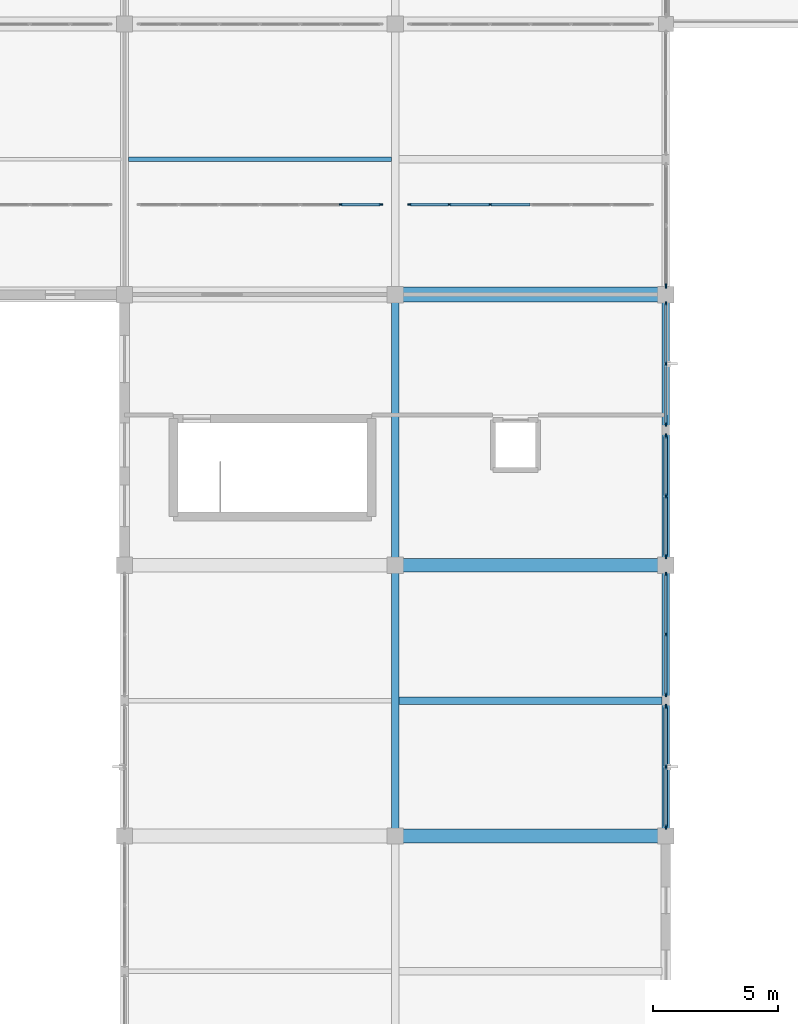
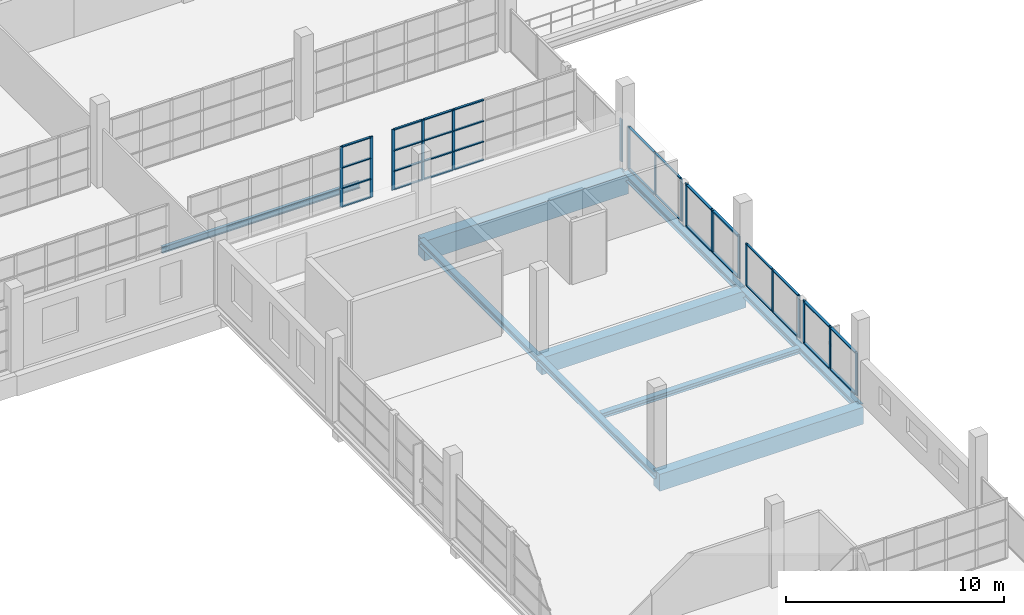
# One storey, part 70 of 142: 50 members, 9 beams, 7 elements without a shape of their own.
"""IFC4 building model written with IfcOpenShell, lengths in metres."""

from ifc_helpers import new_model, si_unit, direction, frame, origin, origin_2d, place, context, subcontext, project, spatial, rectangle, i_section, extrude, material, material_profile, profile_set, type_object, element, aggregate, save


model = new_model("IFC4")

# Units and contexts
model_context = context("Model", 3, precision=1e-05, world=origin(), true_north=direction((0.0, 1.0)))
body_context = subcontext(model_context, "Body", "Model", "MODEL_VIEW")
ifc_project = project(units=[si_unit("LENGTHUNIT", "METRE"), si_unit("AREAUNIT", "SQUARE_METRE"), si_unit("VOLUMEUNIT", "CUBIC_METRE"), si_unit("PLANEANGLEUNIT", "RADIAN"), si_unit("MASSUNIT", "GRAM", prefix="KILO")], contexts=[model_context])

# Site, building, storey
site_placement = place(None, origin())
site = spatial("IfcSite", under=ifc_project, at=site_placement, CompositionType="ELEMENT")
building_placement = place(site_placement, origin())
building = spatial("IfcBuilding", under=site, at=building_placement, Name="Zwinboog Wholesale Market", CompositionType="ELEMENT")
storey_placement = place(building_placement, frame((0.0, 0.0, 5.39990234375)))
storey = spatial("IfcBuildingStorey", under=building, at=storey_placement, Name="L01", CompositionType="ELEMENT", Elevation=5.39990234375)

# Beams
ifc_material_1 = material(Name="Precast concrete C45/55", Category="concrete")
ifc_material_profile_1 = material_profile(ifc_material_1, rectangle(XDim=0.60009765625, YDim=1.10009765625, at=origin_2d()), Name="PC 600x1100")
ifc_profile_set_1 = profile_set([ifc_material_profile_1], Name="Precast concrete C45/55")
beam_type_1 = type_object("IfcBeamType", Name="BT-01", PredefinedType="BEAM", material=ifc_profile_set_1)
beam_1_placement = place(storey_placement, frame((162.0, 86.39990234375, -0.8818359375), z_axis=(1.0, 0.0, 0.0), x_axis=(0.0, 1.0, 0.0)))
element("IfcBeam", 1, at=beam_1_placement, inside=storey, type_object=beam_type_1, Name="BG-01 (BMG-L01-1620-0864-0524)", PredefinedType="BEAM", context=body_context, shape_type="SweptSolid", body=[
    extrude(rectangle(XDim=0.60009765625, YDim=1.10009765625, at=origin_2d()), origin(), (0.0, 0.0, 1.0), 10.800048828125),
])
ifc_material_profile_2 = material_profile(ifc_material_1, rectangle(XDim=0.550048828125, YDim=0.949951171875, at=origin_2d()), Name="PC 550x950")
ifc_profile_set_2 = profile_set([ifc_material_profile_2], Name="Precast concrete C45/55")
beam_type_2 = type_object("IfcBeamType", Name="BT-02", PredefinedType="BEAM", material=ifc_profile_set_2)
for number, where, z_axis, x_axis, name in (
    (2, (162.0, 64.800048828125, -0.77978515625), (1.0, 0.0, 0.0), (0.0, 1.0, 0.0), "BG-02 (BMG-L01-1620-0648-0498)"),
    (3, (162.0, 75.60009765625, -0.806884765625), (1.0, 0.0, 0.0), (0.0, 1.0, 0.0), "BG-02 (BMG-L01-1620-0756-0508)"),
):
    element("IfcBeam", number, at=place(storey_placement, frame(where, z_axis=z_axis, x_axis=x_axis)), inside=storey, type_object=beam_type_2, Name=name, PredefinedType="BEAM", context=body_context, shape_type="SweptSolid", body=[
        extrude(rectangle(XDim=0.550048828125, YDim=0.949951171875, at=origin_2d()), origin(), (0.0, 0.0, 1.0), 10.800048828125),
    ])
ifc_material_2 = material(Name="Steel S355", Category="steel")
ifc_material_profile_3 = material_profile(ifc_material_2, i_section(OverallWidth=0.300048828125, OverallDepth=0.35009765625, WebThickness=0.010009765625, FlangeThickness=0.017578125, FilletRadius=0.027099609375, at=origin_2d()), Name="HEA 360")
ifc_profile_set_3 = profile_set([ifc_material_profile_3], Name="Steel S355")
beam_type_3 = type_object("IfcBeamType", Name="BT-17", PredefinedType="BEAM", material=ifc_profile_set_3)
beam_2_placement = place(storey_placement, frame((162.0, 64.800048828125, -0.5068359375), z_axis=(0.0, 1.0, 0.0), x_axis=(-1.0, 0.0, 0.0)))
element("IfcBeam", 4, at=beam_2_placement, inside=storey, type_object=beam_type_3, Name="SB-04 (BMG-L01-1620-0648-0739)", PredefinedType="BEAM", context=body_context, shape_type="SweptSolid", body=[
    extrude(i_section(OverallWidth=0.300048828125, OverallDepth=0.35009765625, WebThickness=0.010009765625, FlangeThickness=0.017578125, FilletRadius=0.027099609375, at=origin_2d()), origin(), (0.0, 0.0, 1.0), 10.800048828125),
])
beam_3_placement = place(storey_placement, frame((162.0, 75.60009765625, -0.5068359375), z_axis=(0.0, 1.0, 0.0), x_axis=(-1.0, 0.0, 0.0)))
element("IfcBeam", 5, at=beam_3_placement, inside=storey, type_object=beam_type_3, Name="SB-04 (BMG-L01-1620-0756-0740)", PredefinedType="BEAM", context=body_context, shape_type="SweptSolid", body=[
    extrude(i_section(OverallWidth=0.300048828125, OverallDepth=0.35009765625, WebThickness=0.010009765625, FlangeThickness=0.017578125, FilletRadius=0.027099609375, at=origin_2d()), origin(), (0.0, 0.0, 1.0), 10.7998046875),
])
beam_4_placement = place(storey_placement, frame((172.800048828125, 64.800048828125, -0.5068359375), z_axis=(0.0, 1.0, 0.0), x_axis=(-1.0, 0.0, 0.0)))
element("IfcBeam", 6, at=beam_4_placement, inside=storey, type_object=beam_type_3, Name="SB-04 (BMG-L01-1728-0648-0751)", PredefinedType="BEAM", context=body_context, shape_type="SweptSolid", body=[
    extrude(i_section(OverallWidth=0.300048828125, OverallDepth=0.35009765625, WebThickness=0.010009765625, FlangeThickness=0.017578125, FilletRadius=0.027099609375, at=origin_2d()), origin(), (0.0, 0.0, 1.0), 10.800048828125),
])
beam_5_placement = place(storey_placement, frame((172.800048828125, 75.60009765625, -0.5068359375), z_axis=(0.0, 1.0, 0.0), x_axis=(-1.0, 0.0, 0.0)))
element("IfcBeam", 7, at=beam_5_placement, inside=storey, type_object=beam_type_3, Name="SB-04 (BMG-L01-1728-0756-0752)", PredefinedType="BEAM", context=body_context, shape_type="SweptSolid", body=[
    extrude(i_section(OverallWidth=0.300048828125, OverallDepth=0.35009765625, WebThickness=0.010009765625, FlangeThickness=0.017578125, FilletRadius=0.027099609375, at=origin_2d()), origin(), (0.0, 0.0, 1.0), 10.7998046875),
])
ifc_material_profile_4 = material_profile(ifc_material_2, i_section(OverallWidth=0.300048828125, OverallDepth=0.2900390625, WebThickness=0.008544921875, FlangeThickness=0.013916015625, FilletRadius=0.027099609375, at=origin_2d()), Name="HEA 300")
ifc_profile_set_4 = profile_set([ifc_material_profile_4], Name="Steel S355")
beam_type_4 = type_object("IfcBeamType", Name="BT-18", PredefinedType="JOIST", material=ifc_profile_set_4)
beam_6_placement = place(storey_placement, frame((162.14990234375, 70.199951171875, -0.449951171875), z_axis=(1.0, 0.0, 0.0), x_axis=(0.0, 1.0, 0.0)))
element("IfcBeam", 8, at=beam_6_placement, inside=storey, type_object=beam_type_4, Name="SJ-01 (BMG-L01-1622-0702-0851)", PredefinedType="JOIST", context=body_context, shape_type="SweptSolid", body=[
    extrude(i_section(OverallWidth=0.300048828125, OverallDepth=0.2900390625, WebThickness=0.008544921875, FlangeThickness=0.013916015625, FilletRadius=0.027099609375, at=origin_2d()), origin(), (0.0, 0.0, 1.0), 10.5),
])
ifc_material_profile_5 = material_profile(ifc_material_2, i_section(OverallWidth=0.169921875, OverallDepth=0.360107421875, WebThickness=0.008056640625, FlangeThickness=0.0126953125, FilletRadius=0.01806640625, at=origin_2d()), Name="IPE 360")
ifc_profile_set_5 = profile_set([ifc_material_profile_5], Name="Steel S355")
beam_type_5 = type_object("IfcBeamType", Name="BT-20", PredefinedType="JOIST", material=ifc_profile_set_5)
beam_7_placement = place(storey_placement, frame((151.35009765625, 91.800048828125, -0.511962890625), z_axis=(1.0, 0.0, 0.0), x_axis=(0.0, 1.0, 0.0)))
element("IfcBeam", 9, at=beam_7_placement, inside=storey, type_object=beam_type_5, Name="SJ-03 (BMG-L01-1514-0918-0852)", PredefinedType="JOIST", context=body_context, shape_type="SweptSolid", body=[
    extrude(i_section(OverallWidth=0.169921875, OverallDepth=0.360107421875, WebThickness=0.008056640625, FlangeThickness=0.0126953125, FilletRadius=0.01806640625, at=origin_2d()), origin(), (0.0, 0.0, 1.0), 10.5),
])

# Curtain wall, members
ifc_material_3 = material(Name="Aluminium thermally broken curtain wall", Category="aluminium")
curtain_wall_type_1 = type_object("IfcCurtainWallType", Name="CWT-HALL-24", PredefinedType="USERDEFINED", material=ifc_material_3)
curtain_wall_1_placement = place(storey_placement, origin())
curtain_wall_1 = element("IfcCurtainWall", 10, at=curtain_wall_1_placement, inside=storey, type_object=curtain_wall_type_1, Name="CW-03 (CW-L01-135)", ObjectType="UNITIZED_CURTAIN_WALL", PredefinedType="USERDEFINED")
ifc_material_4 = material(Name="Aluminium EN AW-6060", Category="aluminium")
ifc_material_profile_6 = material_profile(ifc_material_4, rectangle(XDim=0.06494140625, YDim=0.179931640625, at=origin_2d()), Name="AL 65x180")
ifc_profile_set_6 = profile_set([ifc_material_profile_6], Name="Aluminium EN AW-6060")
member_type_1 = type_object("IfcMemberType", Name="CWM-65x180", PredefinedType="MULLION", material=ifc_profile_set_6)
member_1_placement = place(storey_placement, frame((172.800048828125, 65.152587890625, 0.0), z_axis=(0.0, 0.0, 1.0), x_axis=(-1.0, 0.0, 0.0)))
member_1 = element("IfcMember", 11, at=member_1_placement, type_object=member_type_1, Name="CW-03 mullion 1", PredefinedType="MULLION", context=body_context, shape_type="SweptSolid", body=[
    extrude(rectangle(XDim=0.06494140625, YDim=0.179931640625, at=origin_2d()), origin(), (0.0, 0.0, 1.0), 2.380126953125),
])
member_2_placement = place(storey_placement, frame((172.800048828125, 67.56005859375, 0.0), z_axis=(0.0, 0.0, 1.0), x_axis=(-1.0, 0.0, 0.0)))
member_2 = element("IfcMember", 12, at=member_2_placement, type_object=member_type_1, Name="CW-03 mullion 2", PredefinedType="MULLION", context=body_context, shape_type="SweptSolid", body=[
    extrude(rectangle(XDim=0.06494140625, YDim=0.179931640625, at=origin_2d()), origin(), (0.0, 0.0, 1.0), 2.380126953125),
])
member_3_placement = place(storey_placement, frame((172.800048828125, 69.967529296875, 0.0), z_axis=(0.0, 0.0, 1.0), x_axis=(-1.0, 0.0, 0.0)))
member_3 = element("IfcMember", 13, at=member_3_placement, type_object=member_type_1, Name="CW-03 mullion 3", PredefinedType="MULLION", context=body_context, shape_type="SweptSolid", body=[
    extrude(rectangle(XDim=0.06494140625, YDim=0.179931640625, at=origin_2d()), origin(), (0.0, 0.0, 1.0), 2.380126953125),
])

curtain_wall_type_2 = type_object("IfcCurtainWallType", Name="CWT-CAFE-22", PredefinedType="USERDEFINED", material=ifc_material_3)
curtain_wall_2_placement = place(storey_placement, origin())
curtain_wall_2 = element("IfcCurtainWall", 14, at=curtain_wall_2_placement, inside=storey, type_object=curtain_wall_type_2, Name="CW-05 (CW-L01-137)", ObjectType="STOREFRONT_GLAZING", PredefinedType="USERDEFINED")
member_4_placement = place(storey_placement, frame((172.800048828125, 75.952392578125, 0.0), z_axis=(0.0, 0.0, 1.0), x_axis=(-1.0, 0.0, 0.0)))
member_4 = element("IfcMember", 15, at=member_4_placement, type_object=member_type_1, Name="CW-05 mullion 1", PredefinedType="MULLION", context=body_context, shape_type="SweptSolid", body=[
    extrude(rectangle(XDim=0.06494140625, YDim=0.179931640625, at=origin_2d()), origin(), (0.0, 0.0, 1.0), 2.380126953125),
])
member_5_placement = place(storey_placement, frame((172.800048828125, 78.360107421875, 0.0), z_axis=(0.0, 0.0, 1.0), x_axis=(-1.0, 0.0, 0.0)))
member_5 = element("IfcMember", 16, at=member_5_placement, type_object=member_type_1, Name="CW-05 mullion 2", PredefinedType="MULLION", context=body_context, shape_type="SweptSolid", body=[
    extrude(rectangle(XDim=0.06494140625, YDim=0.179931640625, at=origin_2d()), origin(), (0.0, 0.0, 1.0), 2.380126953125),
])
member_6_placement = place(storey_placement, frame((172.800048828125, 80.767578125, 0.0), z_axis=(0.0, 0.0, 1.0), x_axis=(-1.0, 0.0, 0.0)))
member_6 = element("IfcMember", 17, at=member_6_placement, type_object=member_type_1, Name="CW-05 mullion 3", PredefinedType="MULLION", context=body_context, shape_type="SweptSolid", body=[
    extrude(rectangle(XDim=0.06494140625, YDim=0.179931640625, at=origin_2d()), origin(), (0.0, 0.0, 1.0), 2.380126953125),
])

# Curtain wall, member
curtain_wall_type_3 = type_object("IfcCurtainWallType", Name="CWT-STALL-18", PredefinedType="USERDEFINED", material=ifc_material_3)
curtain_wall_3_placement = place(storey_placement, origin())
curtain_wall_3 = element("IfcCurtainWall", 18, at=curtain_wall_3_placement, inside=storey, type_object=curtain_wall_type_3, Name="CW-01 (CW-L01-139)", ObjectType="STOREFRONT_GLAZING", PredefinedType="USERDEFINED")
member_7_placement = place(storey_placement, frame((172.800048828125, 86.75244140625, 0.0), z_axis=(0.0, 0.0, 1.0), x_axis=(-1.0, 0.0, 0.0)))
member_7 = element("IfcMember", 19, at=member_7_placement, type_object=member_type_1, Name="CW-01 mullion 1", PredefinedType="MULLION", context=body_context, shape_type="SweptSolid", body=[
    extrude(rectangle(XDim=0.06494140625, YDim=0.179931640625, at=origin_2d()), origin(), (0.0, 0.0, 1.0), 2.380126953125),
])
aggregate(curtain_wall_3, [member_7])

# Curtain wall, members
curtain_wall_type_4 = type_object("IfcCurtainWallType", Name="CWT-GAL-16", PredefinedType="USERDEFINED", material=ifc_material_3)
curtain_wall_4_placement = place(storey_placement, origin())
curtain_wall_4 = element("IfcCurtainWall", 20, at=curtain_wall_4_placement, inside=storey, type_object=curtain_wall_type_4, Name="CW-04 (CW-L01-136)", ObjectType="UNITIZED_CURTAIN_WALL", PredefinedType="USERDEFINED")
ifc_material_profile_7 = material_profile(ifc_material_4, rectangle(XDim=0.06005859375, YDim=0.14990234375, at=origin_2d()), Name="AL 60x150")
ifc_profile_set_7 = profile_set([ifc_material_profile_7], Name="Aluminium EN AW-6060")
member_type_2 = type_object("IfcMemberType", Name="CWM-60x150", PredefinedType="MULLION", material=ifc_profile_set_7)
member_8_placement = place(storey_placement, frame((172.800048828125, 70.429931640625, 0.0), z_axis=(0.0, 0.0, 1.0), x_axis=(-1.0, 0.0, 0.0)))
member_8 = element("IfcMember", 21, at=member_8_placement, type_object=member_type_2, Name="CW-04 mullion 1", PredefinedType="MULLION", context=body_context, shape_type="SweptSolid", body=[
    extrude(rectangle(XDim=0.06005859375, YDim=0.14990234375, at=origin_2d()), origin(), (0.0, 0.0, 1.0), 2.380126953125),
])
member_9_placement = place(storey_placement, frame((172.800048828125, 72.840087890625, 0.0), z_axis=(0.0, 0.0, 1.0), x_axis=(-1.0, 0.0, 0.0)))
member_9 = element("IfcMember", 22, at=member_9_placement, type_object=member_type_2, Name="CW-04 mullion 2", PredefinedType="MULLION", context=body_context, shape_type="SweptSolid", body=[
    extrude(rectangle(XDim=0.06005859375, YDim=0.14990234375, at=origin_2d()), origin(), (0.0, 0.0, 1.0), 2.380126953125),
])
member_10_placement = place(storey_placement, frame((172.800048828125, 75.25, 0.0), z_axis=(0.0, 0.0, 1.0), x_axis=(-1.0, 0.0, 0.0)))
member_10 = element("IfcMember", 23, at=member_10_placement, type_object=member_type_2, Name="CW-04 mullion 3", PredefinedType="MULLION", context=body_context, shape_type="SweptSolid", body=[
    extrude(rectangle(XDim=0.06005859375, YDim=0.14990234375, at=origin_2d()), origin(), (0.0, 0.0, 1.0), 2.380126953125),
])

curtain_wall_type_5 = type_object("IfcCurtainWallType", Name="CWT-OFF-15", PredefinedType="USERDEFINED", material=ifc_material_3)
curtain_wall_5_placement = place(storey_placement, origin())
curtain_wall_5 = element("IfcCurtainWall", 24, at=curtain_wall_5_placement, inside=storey, type_object=curtain_wall_type_5, Name="CW-06 (CW-L01-138)", ObjectType="UNITIZED_CURTAIN_WALL", PredefinedType="USERDEFINED")
member_11_placement = place(storey_placement, frame((172.800048828125, 81.22998046875, 0.0), z_axis=(0.0, 0.0, 1.0), x_axis=(-1.0, 0.0, 0.0)))
member_11 = element("IfcMember", 25, at=member_11_placement, type_object=member_type_2, Name="CW-06 mullion 1", PredefinedType="MULLION", context=body_context, shape_type="SweptSolid", body=[
    extrude(rectangle(XDim=0.06005859375, YDim=0.14990234375, at=origin_2d()), origin(), (0.0, 0.0, 1.0), 2.380126953125),
])
member_12_placement = place(storey_placement, frame((172.800048828125, 83.639892578125, 0.0), z_axis=(0.0, 0.0, 1.0), x_axis=(-1.0, 0.0, 0.0)))
member_12 = element("IfcMember", 26, at=member_12_placement, type_object=member_type_2, Name="CW-06 mullion 2", PredefinedType="MULLION", context=body_context, shape_type="SweptSolid", body=[
    extrude(rectangle(XDim=0.06005859375, YDim=0.14990234375, at=origin_2d()), origin(), (0.0, 0.0, 1.0), 2.380126953125),
])
member_13_placement = place(storey_placement, frame((172.800048828125, 86.050048828125, 0.0), z_axis=(0.0, 0.0, 1.0), x_axis=(-1.0, 0.0, 0.0)))
member_13 = element("IfcMember", 27, at=member_13_placement, type_object=member_type_2, Name="CW-06 mullion 3", PredefinedType="MULLION", context=body_context, shape_type="SweptSolid", body=[
    extrude(rectangle(XDim=0.06005859375, YDim=0.14990234375, at=origin_2d()), origin(), (0.0, 0.0, 1.0), 2.380126953125),
])

# Member
ifc_material_profile_8 = material_profile(ifc_material_4, rectangle(XDim=0.139892578125, YDim=0.06494140625, at=origin_2d()), Name="AL 65x140")
ifc_profile_set_8 = profile_set([ifc_material_profile_8], Name="Aluminium EN AW-6060")
member_type_3 = type_object("IfcMemberType", Name="CWT-65x140", PredefinedType="USERDEFINED", material=ifc_profile_set_8)
member_14_placement = place(storey_placement, frame((172.800048828125, 65.18505859375, 0.03271484375), z_axis=(0.0, 1.0, 0.0), x_axis=(-1.0, 0.0, 0.0)))
member_14 = element("IfcMember", 28, at=member_14_placement, type_object=member_type_3, Name="CW-03 transom 1.1", ObjectType="TRANSOM", PredefinedType="USERDEFINED", context=body_context, shape_type="SweptSolid", body=[
    extrude(rectangle(XDim=0.139892578125, YDim=0.06494140625, at=origin_2d()), origin(), (0.0, 0.0, 1.0), 2.342529296875),
])

member_15_placement = place(storey_placement, frame((172.800048828125, 65.18505859375, 2.34765625), z_axis=(0.0, 1.0, 0.0), x_axis=(-1.0, 0.0, 0.0)))
member_15 = element("IfcMember", 29, at=member_15_placement, type_object=member_type_3, Name="CW-03 transom 1.2", ObjectType="TRANSOM", PredefinedType="USERDEFINED", context=body_context, shape_type="SweptSolid", body=[
    extrude(rectangle(XDim=0.139892578125, YDim=0.06494140625, at=origin_2d()), origin(), (0.0, 0.0, 1.0), 2.342529296875),
])

member_16_placement = place(storey_placement, frame((172.800048828125, 67.592529296875, 0.03271484375), z_axis=(0.0, 1.0, 0.0), x_axis=(-1.0, 0.0, 0.0)))
member_16 = element("IfcMember", 30, at=member_16_placement, type_object=member_type_3, Name="CW-03 transom 2.1", ObjectType="TRANSOM", PredefinedType="USERDEFINED", context=body_context, shape_type="SweptSolid", body=[
    extrude(rectangle(XDim=0.139892578125, YDim=0.06494140625, at=origin_2d()), origin(), (0.0, 0.0, 1.0), 2.342529296875),
])

member_17_placement = place(storey_placement, frame((172.800048828125, 67.592529296875, 2.34765625), z_axis=(0.0, 1.0, 0.0), x_axis=(-1.0, 0.0, 0.0)))
member_17 = element("IfcMember", 31, at=member_17_placement, type_object=member_type_3, Name="CW-03 transom 2.2", ObjectType="TRANSOM", PredefinedType="USERDEFINED", context=body_context, shape_type="SweptSolid", body=[
    extrude(rectangle(XDim=0.139892578125, YDim=0.06494140625, at=origin_2d()), origin(), (0.0, 0.0, 1.0), 2.342529296875),
])

aggregate(curtain_wall_1, [member_1, member_2, member_3, member_14, member_15, member_16, member_17])

member_18_placement = place(storey_placement, frame((172.800048828125, 75.985107421875, 0.03271484375), z_axis=(0.0, 1.0, 0.0), x_axis=(-1.0, 0.0, 0.0)))
member_18 = element("IfcMember", 32, at=member_18_placement, type_object=member_type_3, Name="CW-05 transom 1.1", ObjectType="TRANSOM", PredefinedType="USERDEFINED", context=body_context, shape_type="SweptSolid", body=[
    extrude(rectangle(XDim=0.139892578125, YDim=0.06494140625, at=origin_2d()), origin(), (0.0, 0.0, 1.0), 2.34228515625),
])

member_19_placement = place(storey_placement, frame((172.800048828125, 75.985107421875, 2.34765625), z_axis=(0.0, 1.0, 0.0), x_axis=(-1.0, 0.0, 0.0)))
member_19 = element("IfcMember", 33, at=member_19_placement, type_object=member_type_3, Name="CW-05 transom 1.2", ObjectType="TRANSOM", PredefinedType="USERDEFINED", context=body_context, shape_type="SweptSolid", body=[
    extrude(rectangle(XDim=0.139892578125, YDim=0.06494140625, at=origin_2d()), origin(), (0.0, 0.0, 1.0), 2.34228515625),
])

member_20_placement = place(storey_placement, frame((172.800048828125, 78.392578125, 0.03271484375), z_axis=(0.0, 1.0, 0.0), x_axis=(-1.0, 0.0, 0.0)))
member_20 = element("IfcMember", 34, at=member_20_placement, type_object=member_type_3, Name="CW-05 transom 2.1", ObjectType="TRANSOM", PredefinedType="USERDEFINED", context=body_context, shape_type="SweptSolid", body=[
    extrude(rectangle(XDim=0.139892578125, YDim=0.06494140625, at=origin_2d()), origin(), (0.0, 0.0, 1.0), 2.342529296875),
])

member_21_placement = place(storey_placement, frame((172.800048828125, 78.392578125, 2.34765625), z_axis=(0.0, 1.0, 0.0), x_axis=(-1.0, 0.0, 0.0)))
member_21 = element("IfcMember", 35, at=member_21_placement, type_object=member_type_3, Name="CW-05 transom 2.2", ObjectType="TRANSOM", PredefinedType="USERDEFINED", context=body_context, shape_type="SweptSolid", body=[
    extrude(rectangle(XDim=0.139892578125, YDim=0.06494140625, at=origin_2d()), origin(), (0.0, 0.0, 1.0), 2.342529296875),
])

aggregate(curtain_wall_2, [member_4, member_5, member_6, member_18, member_19, member_20, member_21])

ifc_material_profile_9 = material_profile(ifc_material_4, rectangle(XDim=0.110107421875, YDim=0.06005859375, at=origin_2d()), Name="AL 60x110")
ifc_profile_set_9 = profile_set([ifc_material_profile_9], Name="Aluminium EN AW-6060")
member_type_4 = type_object("IfcMemberType", Name="CWT-60x110", PredefinedType="USERDEFINED", material=ifc_profile_set_9)
member_22_placement = place(storey_placement, frame((172.800048828125, 70.4599609375, 0.030029296875), z_axis=(0.0, 1.0, 0.0), x_axis=(-1.0, 0.0, 0.0)))
member_22 = element("IfcMember", 36, at=member_22_placement, type_object=member_type_4, Name="CW-04 transom 1.1", ObjectType="TRANSOM", PredefinedType="USERDEFINED", context=body_context, shape_type="SweptSolid", body=[
    extrude(rectangle(XDim=0.110107421875, YDim=0.06005859375, at=origin_2d()), origin(), (0.0, 0.0, 1.0), 2.35009765625),
])

member_23_placement = place(storey_placement, frame((172.800048828125, 70.4599609375, 2.35009765625), z_axis=(0.0, 1.0, 0.0), x_axis=(-1.0, 0.0, 0.0)))
member_23 = element("IfcMember", 37, at=member_23_placement, type_object=member_type_4, Name="CW-04 transom 1.2", ObjectType="TRANSOM", PredefinedType="USERDEFINED", context=body_context, shape_type="SweptSolid", body=[
    extrude(rectangle(XDim=0.110107421875, YDim=0.06005859375, at=origin_2d()), origin(), (0.0, 0.0, 1.0), 2.35009765625),
])

member_24_placement = place(storey_placement, frame((172.800048828125, 72.8701171875, 0.030029296875), z_axis=(0.0, 1.0, 0.0), x_axis=(-1.0, 0.0, 0.0)))
member_24 = element("IfcMember", 38, at=member_24_placement, type_object=member_type_4, Name="CW-04 transom 2.1", ObjectType="TRANSOM", PredefinedType="USERDEFINED", context=body_context, shape_type="SweptSolid", body=[
    extrude(rectangle(XDim=0.110107421875, YDim=0.06005859375, at=origin_2d()), origin(), (0.0, 0.0, 1.0), 2.349853515625),
])

member_25_placement = place(storey_placement, frame((172.800048828125, 72.8701171875, 2.35009765625), z_axis=(0.0, 1.0, 0.0), x_axis=(-1.0, 0.0, 0.0)))
member_25 = element("IfcMember", 39, at=member_25_placement, type_object=member_type_4, Name="CW-04 transom 2.2", ObjectType="TRANSOM", PredefinedType="USERDEFINED", context=body_context, shape_type="SweptSolid", body=[
    extrude(rectangle(XDim=0.110107421875, YDim=0.06005859375, at=origin_2d()), origin(), (0.0, 0.0, 1.0), 2.349853515625),
])

aggregate(curtain_wall_4, [member_8, member_9, member_10, member_22, member_23, member_24, member_25])

member_26_placement = place(storey_placement, frame((172.800048828125, 81.260009765625, 0.030029296875), z_axis=(0.0, 1.0, 0.0), x_axis=(-1.0, 0.0, 0.0)))
member_26 = element("IfcMember", 40, at=member_26_placement, type_object=member_type_4, Name="CW-06 transom 1.1", ObjectType="TRANSOM", PredefinedType="USERDEFINED", context=body_context, shape_type="SweptSolid", body=[
    extrude(rectangle(XDim=0.110107421875, YDim=0.06005859375, at=origin_2d()), origin(), (0.0, 0.0, 1.0), 2.35009765625),
])

member_27_placement = place(storey_placement, frame((172.800048828125, 81.260009765625, 2.35009765625), z_axis=(0.0, 1.0, 0.0), x_axis=(-1.0, 0.0, 0.0)))
member_27 = element("IfcMember", 41, at=member_27_placement, type_object=member_type_4, Name="CW-06 transom 1.2", ObjectType="TRANSOM", PredefinedType="USERDEFINED", context=body_context, shape_type="SweptSolid", body=[
    extrude(rectangle(XDim=0.110107421875, YDim=0.06005859375, at=origin_2d()), origin(), (0.0, 0.0, 1.0), 2.35009765625),
])

member_28_placement = place(storey_placement, frame((172.800048828125, 83.669921875, 0.030029296875), z_axis=(0.0, 1.0, 0.0), x_axis=(-1.0, 0.0, 0.0)))
member_28 = element("IfcMember", 42, at=member_28_placement, type_object=member_type_4, Name="CW-06 transom 2.1", ObjectType="TRANSOM", PredefinedType="USERDEFINED", context=body_context, shape_type="SweptSolid", body=[
    extrude(rectangle(XDim=0.110107421875, YDim=0.06005859375, at=origin_2d()), origin(), (0.0, 0.0, 1.0), 2.35009765625),
])

member_29_placement = place(storey_placement, frame((172.800048828125, 83.669921875, 2.35009765625), z_axis=(0.0, 1.0, 0.0), x_axis=(-1.0, 0.0, 0.0)))
member_29 = element("IfcMember", 43, at=member_29_placement, type_object=member_type_4, Name="CW-06 transom 2.2", ObjectType="TRANSOM", PredefinedType="USERDEFINED", context=body_context, shape_type="SweptSolid", body=[
    extrude(rectangle(XDim=0.110107421875, YDim=0.06005859375, at=origin_2d()), origin(), (0.0, 0.0, 1.0), 2.35009765625),
])

aggregate(curtain_wall_5, [member_11, member_12, member_13, member_26, member_27, member_28, member_29])

# Curtain wall, members
curtain_wall_type_6 = type_object("IfcCurtainWallType", Name="CWT-INT-STALL", PredefinedType="USERDEFINED", material=ifc_material_3)
curtain_wall_6_placement = place(storey_placement, origin())
curtain_wall_6 = element("IfcCurtainWall", 44, at=curtain_wall_6_placement, inside=storey, type_object=curtain_wall_type_6, Name="CW-07 (CW-STL-243)", ObjectType="STOREFRONT_GLAZING", PredefinedType="USERDEFINED")
ifc_material_profile_10 = material_profile(ifc_material_4, rectangle(XDim=0.06005859375, YDim=0.14990234375, at=origin_2d()), Name="AL 60x150")
ifc_profile_set_10 = profile_set([ifc_material_profile_10], Name="Aluminium EN AW-6060")
member_type_5 = type_object("IfcMemberType", Name="CWM-INT-60x120", PredefinedType="MULLION", material=ifc_profile_set_10)
member_30_placement = place(storey_placement, frame((159.833251953125, 90.0, 0.0), z_axis=(0.0, 0.0, 1.0), x_axis=(0.0, 1.0, 0.0)))
member_30 = element("IfcMember", 45, at=member_30_placement, type_object=member_type_5, Name="CW-07 mullion 6", PredefinedType="MULLION", context=body_context, shape_type="SweptSolid", body=[
    extrude(rectangle(XDim=0.06005859375, YDim=0.14990234375, at=origin_2d()), origin(), (0.0, 0.0, 1.0), 3.400146484375),
])
member_31_placement = place(storey_placement, frame((161.419921875, 90.0, 0.0), z_axis=(0.0, 0.0, 1.0), x_axis=(0.0, 1.0, 0.0)))
member_31 = element("IfcMember", 46, at=member_31_placement, type_object=member_type_5, Name="CW-07 mullion 7", PredefinedType="MULLION", context=body_context, shape_type="SweptSolid", body=[
    extrude(rectangle(XDim=0.06005859375, YDim=0.14990234375, at=origin_2d()), origin(), (0.0, 0.0, 1.0), 3.400146484375),
])

curtain_wall_7_placement = place(storey_placement, origin())
curtain_wall_7 = element("IfcCurtainWall", 47, at=curtain_wall_7_placement, inside=storey, type_object=curtain_wall_type_6, Name="CW-07 (CW-STL-244)", ObjectType="STOREFRONT_GLAZING", PredefinedType="USERDEFINED")
member_32_placement = place(storey_placement, frame((162.580078125, 90.0, 0.0), z_axis=(0.0, 0.0, 1.0), x_axis=(0.0, 1.0, 0.0)))
member_32 = element("IfcMember", 48, at=member_32_placement, type_object=member_type_5, Name="CW-07 mullion 1", PredefinedType="MULLION", context=body_context, shape_type="SweptSolid", body=[
    extrude(rectangle(XDim=0.06005859375, YDim=0.14990234375, at=origin_2d()), origin(), (0.0, 0.0, 1.0), 3.400146484375),
])
member_33_placement = place(storey_placement, frame((164.166748046875, 90.0, 0.0), z_axis=(0.0, 0.0, 1.0), x_axis=(0.0, 1.0, 0.0)))
member_33 = element("IfcMember", 49, at=member_33_placement, type_object=member_type_5, Name="CW-07 mullion 2", PredefinedType="MULLION", context=body_context, shape_type="SweptSolid", body=[
    extrude(rectangle(XDim=0.06005859375, YDim=0.14990234375, at=origin_2d()), origin(), (0.0, 0.0, 1.0), 3.400146484375),
])
member_34_placement = place(storey_placement, frame((165.783447265625, 90.0, 0.0), z_axis=(0.0, 0.0, 1.0), x_axis=(0.0, 1.0, 0.0)))
member_34 = element("IfcMember", 50, at=member_34_placement, type_object=member_type_5, Name="CW-07 mullion 3", PredefinedType="MULLION", context=body_context, shape_type="SweptSolid", body=[
    extrude(rectangle(XDim=0.06005859375, YDim=0.14990234375, at=origin_2d()), origin(), (0.0, 0.0, 1.0), 3.400146484375),
])

# Member
ifc_material_profile_11 = material_profile(ifc_material_4, rectangle(XDim=0.110107421875, YDim=0.06005859375, at=origin_2d()), Name="AL 60x110")
ifc_profile_set_11 = profile_set([ifc_material_profile_11], Name="Aluminium EN AW-6060")
member_type_6 = type_object("IfcMemberType", Name="CWT-INT-60x100", PredefinedType="USERDEFINED", material=ifc_profile_set_11)
member_35_placement = place(storey_placement, frame((159.86328125, 90.0, 0.030029296875), z_axis=(1.0, 0.0, 0.0), x_axis=(0.0, 1.0, 0.0)))
member_35 = element("IfcMember", 51, at=member_35_placement, type_object=member_type_6, Name="CW-07 transom 6.1", ObjectType="TRANSOM", PredefinedType="USERDEFINED", context=body_context, shape_type="SweptSolid", body=[
    extrude(rectangle(XDim=0.110107421875, YDim=0.06005859375, at=origin_2d()), origin(), (0.0, 0.0, 1.0), 1.526611328125),
])

member_36_placement = place(storey_placement, frame((159.86328125, 90.0, 1.050048828125), z_axis=(1.0, 0.0, 0.0), x_axis=(0.0, 1.0, 0.0)))
member_36 = element("IfcMember", 52, at=member_36_placement, type_object=member_type_6, Name="CW-07 transom 6.2", ObjectType="TRANSOM", PredefinedType="USERDEFINED", context=body_context, shape_type="SweptSolid", body=[
    extrude(rectangle(XDim=0.110107421875, YDim=0.06005859375, at=origin_2d()), origin(), (0.0, 0.0, 1.0), 1.526611328125),
])

member_37_placement = place(storey_placement, frame((159.86328125, 90.0, 2.2001953125), z_axis=(1.0, 0.0, 0.0), x_axis=(0.0, 1.0, 0.0)))
member_37 = element("IfcMember", 53, at=member_37_placement, type_object=member_type_6, Name="CW-07 transom 6.3", ObjectType="TRANSOM", PredefinedType="USERDEFINED", context=body_context, shape_type="SweptSolid", body=[
    extrude(rectangle(XDim=0.110107421875, YDim=0.06005859375, at=origin_2d()), origin(), (0.0, 0.0, 1.0), 1.526611328125),
])

member_38_placement = place(storey_placement, frame((159.86328125, 90.0, 3.3701171875), z_axis=(1.0, 0.0, 0.0), x_axis=(0.0, 1.0, 0.0)))
member_38 = element("IfcMember", 54, at=member_38_placement, type_object=member_type_6, Name="CW-07 transom 6.4", ObjectType="TRANSOM", PredefinedType="USERDEFINED", context=body_context, shape_type="SweptSolid", body=[
    extrude(rectangle(XDim=0.110107421875, YDim=0.06005859375, at=origin_2d()), origin(), (0.0, 0.0, 1.0), 1.526611328125),
])

aggregate(curtain_wall_6, [member_30, member_31, member_35, member_36, member_37, member_38])

member_39_placement = place(storey_placement, frame((162.610107421875, 90.0, 0.030029296875), z_axis=(1.0, 0.0, 0.0), x_axis=(0.0, 1.0, 0.0)))
member_39 = element("IfcMember", 55, at=member_39_placement, type_object=member_type_6, Name="CW-07 transom 1.1", ObjectType="TRANSOM", PredefinedType="USERDEFINED", context=body_context, shape_type="SweptSolid", body=[
    extrude(rectangle(XDim=0.110107421875, YDim=0.06005859375, at=origin_2d()), origin(), (0.0, 0.0, 1.0), 1.526611328125),
])

member_40_placement = place(storey_placement, frame((162.610107421875, 90.0, 1.050048828125), z_axis=(1.0, 0.0, 0.0), x_axis=(0.0, 1.0, 0.0)))
member_40 = element("IfcMember", 56, at=member_40_placement, type_object=member_type_6, Name="CW-07 transom 1.2", ObjectType="TRANSOM", PredefinedType="USERDEFINED", context=body_context, shape_type="SweptSolid", body=[
    extrude(rectangle(XDim=0.110107421875, YDim=0.06005859375, at=origin_2d()), origin(), (0.0, 0.0, 1.0), 1.526611328125),
])

member_41_placement = place(storey_placement, frame((162.610107421875, 90.0, 2.2001953125), z_axis=(1.0, 0.0, 0.0), x_axis=(0.0, 1.0, 0.0)))
member_41 = element("IfcMember", 57, at=member_41_placement, type_object=member_type_6, Name="CW-07 transom 1.3", ObjectType="TRANSOM", PredefinedType="USERDEFINED", context=body_context, shape_type="SweptSolid", body=[
    extrude(rectangle(XDim=0.110107421875, YDim=0.06005859375, at=origin_2d()), origin(), (0.0, 0.0, 1.0), 1.526611328125),
])

member_42_placement = place(storey_placement, frame((162.610107421875, 90.0, 3.3701171875), z_axis=(1.0, 0.0, 0.0), x_axis=(0.0, 1.0, 0.0)))
member_42 = element("IfcMember", 58, at=member_42_placement, type_object=member_type_6, Name="CW-07 transom 1.4", ObjectType="TRANSOM", PredefinedType="USERDEFINED", context=body_context, shape_type="SweptSolid", body=[
    extrude(rectangle(XDim=0.110107421875, YDim=0.06005859375, at=origin_2d()), origin(), (0.0, 0.0, 1.0), 1.526611328125),
])

member_43_placement = place(storey_placement, frame((164.19677734375, 90.0, 0.030029296875), z_axis=(1.0, 0.0, 0.0), x_axis=(0.0, 1.0, 0.0)))
member_43 = element("IfcMember", 59, at=member_43_placement, type_object=member_type_6, Name="CW-07 transom 2.1", ObjectType="TRANSOM", PredefinedType="USERDEFINED", context=body_context, shape_type="SweptSolid", body=[
    extrude(rectangle(XDim=0.110107421875, YDim=0.06005859375, at=origin_2d()), origin(), (0.0, 0.0, 1.0), 1.556640625),
])

member_44_placement = place(storey_placement, frame((164.19677734375, 90.0, 1.050048828125), z_axis=(1.0, 0.0, 0.0), x_axis=(0.0, 1.0, 0.0)))
member_44 = element("IfcMember", 60, at=member_44_placement, type_object=member_type_6, Name="CW-07 transom 2.2", ObjectType="TRANSOM", PredefinedType="USERDEFINED", context=body_context, shape_type="SweptSolid", body=[
    extrude(rectangle(XDim=0.110107421875, YDim=0.06005859375, at=origin_2d()), origin(), (0.0, 0.0, 1.0), 1.556640625),
])

member_45_placement = place(storey_placement, frame((164.19677734375, 90.0, 2.2001953125), z_axis=(1.0, 0.0, 0.0), x_axis=(0.0, 1.0, 0.0)))
member_45 = element("IfcMember", 61, at=member_45_placement, type_object=member_type_6, Name="CW-07 transom 2.3", ObjectType="TRANSOM", PredefinedType="USERDEFINED", context=body_context, shape_type="SweptSolid", body=[
    extrude(rectangle(XDim=0.110107421875, YDim=0.06005859375, at=origin_2d()), origin(), (0.0, 0.0, 1.0), 1.556640625),
])

member_46_placement = place(storey_placement, frame((164.19677734375, 90.0, 3.3701171875), z_axis=(1.0, 0.0, 0.0), x_axis=(0.0, 1.0, 0.0)))
member_46 = element("IfcMember", 62, at=member_46_placement, type_object=member_type_6, Name="CW-07 transom 2.4", ObjectType="TRANSOM", PredefinedType="USERDEFINED", context=body_context, shape_type="SweptSolid", body=[
    extrude(rectangle(XDim=0.110107421875, YDim=0.06005859375, at=origin_2d()), origin(), (0.0, 0.0, 1.0), 1.556640625),
])

member_47_placement = place(storey_placement, frame((165.813232421875, 90.0, 0.030029296875), z_axis=(1.0, 0.0, 0.0), x_axis=(0.0, 1.0, 0.0)))
member_47 = element("IfcMember", 63, at=member_47_placement, type_object=member_type_6, Name="CW-07 transom 3.1", ObjectType="TRANSOM", PredefinedType="USERDEFINED", context=body_context, shape_type="SweptSolid", body=[
    extrude(rectangle(XDim=0.110107421875, YDim=0.06005859375, at=origin_2d()), origin(), (0.0, 0.0, 1.0), 1.556884765625),
])

member_48_placement = place(storey_placement, frame((165.813232421875, 90.0, 1.050048828125), z_axis=(1.0, 0.0, 0.0), x_axis=(0.0, 1.0, 0.0)))
member_48 = element("IfcMember", 64, at=member_48_placement, type_object=member_type_6, Name="CW-07 transom 3.2", ObjectType="TRANSOM", PredefinedType="USERDEFINED", context=body_context, shape_type="SweptSolid", body=[
    extrude(rectangle(XDim=0.110107421875, YDim=0.06005859375, at=origin_2d()), origin(), (0.0, 0.0, 1.0), 1.556884765625),
])

member_49_placement = place(storey_placement, frame((165.813232421875, 90.0, 2.2001953125), z_axis=(1.0, 0.0, 0.0), x_axis=(0.0, 1.0, 0.0)))
member_49 = element("IfcMember", 65, at=member_49_placement, type_object=member_type_6, Name="CW-07 transom 3.3", ObjectType="TRANSOM", PredefinedType="USERDEFINED", context=body_context, shape_type="SweptSolid", body=[
    extrude(rectangle(XDim=0.110107421875, YDim=0.06005859375, at=origin_2d()), origin(), (0.0, 0.0, 1.0), 1.556884765625),
])

member_50_placement = place(storey_placement, frame((165.813232421875, 90.0, 3.3701171875), z_axis=(1.0, 0.0, 0.0), x_axis=(0.0, 1.0, 0.0)))
member_50 = element("IfcMember", 66, at=member_50_placement, type_object=member_type_6, Name="CW-07 transom 3.4", ObjectType="TRANSOM", PredefinedType="USERDEFINED", context=body_context, shape_type="SweptSolid", body=[
    extrude(rectangle(XDim=0.110107421875, YDim=0.06005859375, at=origin_2d()), origin(), (0.0, 0.0, 1.0), 1.556884765625),
])

aggregate(curtain_wall_7, [member_32, member_33, member_34, member_39, member_40, member_41, member_42, member_43, member_44, member_45, member_46, member_47, member_48, member_49, member_50])

save(model, "model.ifc")
